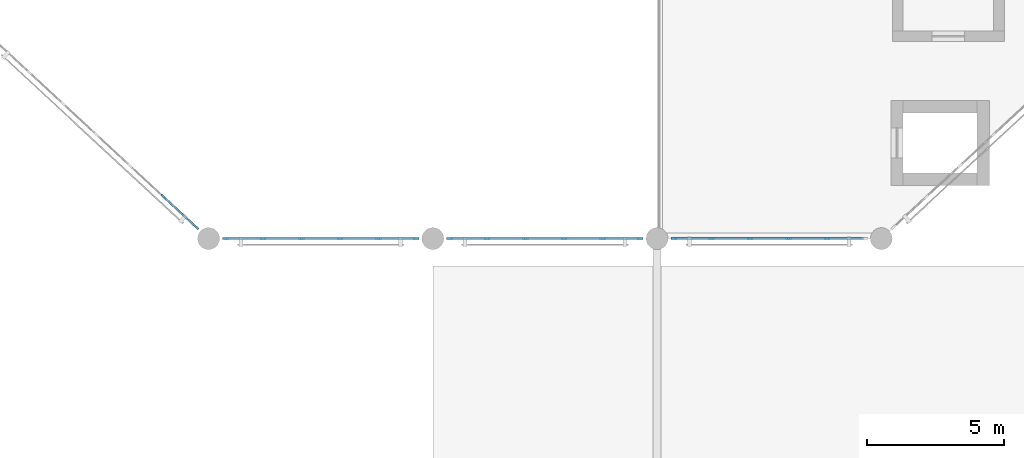
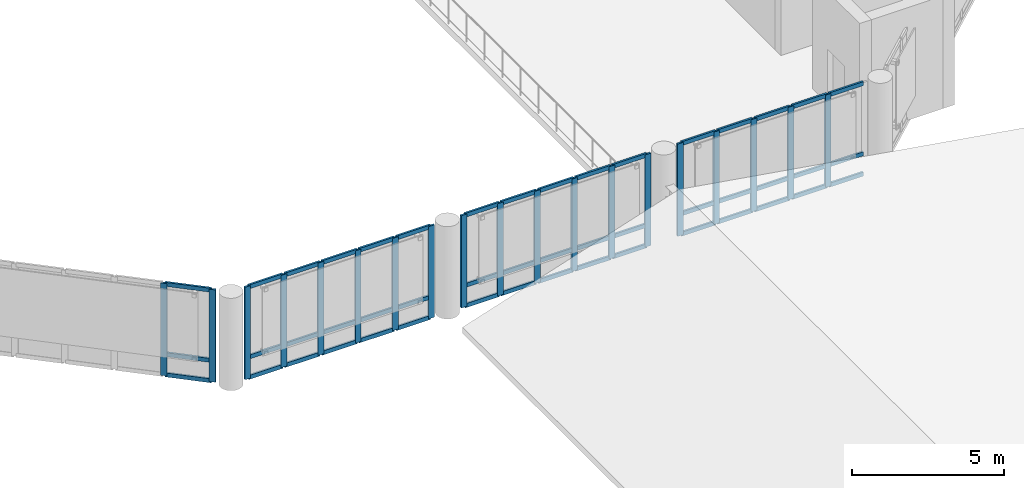
# One storey, part 2 of 49: 67 members, 4 elements without a shape of their own.
"""IFC4 building model written with IfcOpenShell, lengths in metres."""

from ifc_helpers import new_model, si_unit, direction, frame, origin, origin_2d, place, context, subcontext, project, spatial, rectangle, extrude, material, material_profile, profile_set, type_object, element, aggregate, save


model = new_model("IFC4")

# Units and contexts
model_context = context("Model", 3, precision=1e-05, world=origin(), true_north=direction((0.0, 1.0)))
body_context = subcontext(model_context, "Body", "Model", "MODEL_VIEW")
ifc_project = project(units=[si_unit("LENGTHUNIT", "METRE"), si_unit("AREAUNIT", "SQUARE_METRE"), si_unit("VOLUMEUNIT", "CUBIC_METRE"), si_unit("PLANEANGLEUNIT", "RADIAN"), si_unit("MASSUNIT", "GRAM", prefix="KILO")], contexts=[model_context])

# Site, building, storey
site_placement = place(None, origin())
site = spatial("IfcSite", under=ifc_project, at=site_placement, CompositionType="ELEMENT")
building_placement = place(site_placement, origin())
building = spatial("IfcBuilding", under=site, at=building_placement, Name="Qandaris Square Conservatory and Botanical Centre", CompositionType="ELEMENT")
storey_placement = place(building_placement, frame((0.0, 0.0, 10.199951171875)))
storey = spatial("IfcBuildingStorey", under=building, at=storey_placement, Name="L02", CompositionType="ELEMENT", Elevation=10.199951171875)

# Curtain wall, members
ifc_material = material(Name="Anodised Aluminium", Category="aluminium")
curtain_wall_type_1 = type_object("IfcCurtainWallType", Name="Unitised Curtain Wall CW-2-704x370", PredefinedType="USERDEFINED", material=ifc_material)
curtain_wall_1_placement = place(storey_placement, origin())
curtain_wall_1 = element("IfcCurtainWall", 1, at=curtain_wall_1_placement, inside=storey, type_object=curtain_wall_type_1, Name="Curtain Wall CW-CON-L02-1-1", ObjectType="GLAZED CURTAIN WALL", PredefinedType="USERDEFINED")
ifc_material_profile_1 = material_profile(ifc_material, rectangle(XDim=0.074951171875, YDim=0.219970703125, at=origin_2d()), Name="ALU-MUL 75x220")
ifc_profile_set_1 = profile_set([ifc_material_profile_1], Name="Anodised Aluminium")
member_type_1 = type_object("IfcMemberType", Name="Conservatory Heavy Mullion 75x220", PredefinedType="MULLION", material=ifc_profile_set_1)
member_1_placement = place(storey_placement, frame((25.017578125, 47.0, 0.0), z_axis=(0.0, 0.0, 1.0), x_axis=(0.0, 1.0, 0.0)))
member_1 = element("IfcMember", 2, at=member_1_placement, type_object=member_type_1, Name="CW-2-704x370 mullion 1", PredefinedType="MULLION", context=body_context, shape_type="SweptSolid", body=[
    extrude(rectangle(XDim=0.074951171875, YDim=0.219970703125, at=origin_2d()), origin(), (0.0, 0.0, 1.0), 3.699951171875),
])
member_2_placement = place(storey_placement, frame((26.387939453125, 47.0, 0.0), z_axis=(0.0, 0.0, 1.0), x_axis=(0.0, 1.0, 0.0)))
member_2 = element("IfcMember", 3, at=member_2_placement, type_object=member_type_1, Name="CW-2-704x370 mullion 2", PredefinedType="MULLION", context=body_context, shape_type="SweptSolid", body=[
    extrude(rectangle(XDim=0.074951171875, YDim=0.219970703125, at=origin_2d()), origin(), (0.0, 0.0, 1.0), 3.699951171875),
])
member_3_placement = place(storey_placement, frame((27.7958984375, 47.0, 0.0), z_axis=(0.0, 0.0, 1.0), x_axis=(0.0, 1.0, 0.0)))
member_3 = element("IfcMember", 4, at=member_3_placement, type_object=member_type_1, Name="CW-2-704x370 mullion 3", PredefinedType="MULLION", context=body_context, shape_type="SweptSolid", body=[
    extrude(rectangle(XDim=0.074951171875, YDim=0.219970703125, at=origin_2d()), origin(), (0.0, 0.0, 1.0), 3.699951171875),
])
member_4_placement = place(storey_placement, frame((29.2041015625, 47.0, 0.0), z_axis=(0.0, 0.0, 1.0), x_axis=(0.0, 1.0, 0.0)))
member_4 = element("IfcMember", 5, at=member_4_placement, type_object=member_type_1, Name="CW-2-704x370 mullion 4", PredefinedType="MULLION", context=body_context, shape_type="SweptSolid", body=[
    extrude(rectangle(XDim=0.074951171875, YDim=0.219970703125, at=origin_2d()), origin(), (0.0, 0.0, 1.0), 3.699951171875),
])
member_5_placement = place(storey_placement, frame((30.612060546875, 47.0, 0.0), z_axis=(0.0, 0.0, 1.0), x_axis=(0.0, 1.0, 0.0)))
member_5 = element("IfcMember", 6, at=member_5_placement, type_object=member_type_1, Name="CW-2-704x370 mullion 5", PredefinedType="MULLION", context=body_context, shape_type="SweptSolid", body=[
    extrude(rectangle(XDim=0.074951171875, YDim=0.219970703125, at=origin_2d()), origin(), (0.0, 0.0, 1.0), 3.699951171875),
])
member_6_placement = place(storey_placement, frame((31.982421875, 47.0, 0.0), z_axis=(0.0, 0.0, 1.0), x_axis=(0.0, 1.0, 0.0)))
member_6 = element("IfcMember", 7, at=member_6_placement, type_object=member_type_1, Name="CW-2-704x370 mullion 6", PredefinedType="MULLION", context=body_context, shape_type="SweptSolid", body=[
    extrude(rectangle(XDim=0.074951171875, YDim=0.219970703125, at=origin_2d()), origin(), (0.0, 0.0, 1.0), 3.699951171875),
])

curtain_wall_2_placement = place(storey_placement, origin())
curtain_wall_2 = element("IfcCurtainWall", 8, at=curtain_wall_2_placement, inside=storey, type_object=curtain_wall_type_1, Name="Curtain Wall CW-CON-L02-1-2", ObjectType="GLAZED CURTAIN WALL", PredefinedType="USERDEFINED")
member_7_placement = place(storey_placement, frame((33.217529296875, 47.0, 0.0), z_axis=(0.0, 0.0, 1.0), x_axis=(0.0, 1.0, 0.0)))
member_7 = element("IfcMember", 9, at=member_7_placement, type_object=member_type_1, Name="CW-2-704x370 mullion 1", PredefinedType="MULLION", context=body_context, shape_type="SweptSolid", body=[
    extrude(rectangle(XDim=0.074951171875, YDim=0.219970703125, at=origin_2d()), origin(), (0.0, 0.0, 1.0), 3.699951171875),
])
member_8_placement = place(storey_placement, frame((34.587890625, 47.0, 0.0), z_axis=(0.0, 0.0, 1.0), x_axis=(0.0, 1.0, 0.0)))
member_8 = element("IfcMember", 10, at=member_8_placement, type_object=member_type_1, Name="CW-2-704x370 mullion 2", PredefinedType="MULLION", context=body_context, shape_type="SweptSolid", body=[
    extrude(rectangle(XDim=0.074951171875, YDim=0.219970703125, at=origin_2d()), origin(), (0.0, 0.0, 1.0), 3.699951171875),
])
member_9_placement = place(storey_placement, frame((35.99609375, 47.0, 0.0), z_axis=(0.0, 0.0, 1.0), x_axis=(0.0, 1.0, 0.0)))
member_9 = element("IfcMember", 11, at=member_9_placement, type_object=member_type_1, Name="CW-2-704x370 mullion 3", PredefinedType="MULLION", context=body_context, shape_type="SweptSolid", body=[
    extrude(rectangle(XDim=0.074951171875, YDim=0.219970703125, at=origin_2d()), origin(), (0.0, 0.0, 1.0), 3.699951171875),
])
member_10_placement = place(storey_placement, frame((37.404052734375, 47.0, 0.0), z_axis=(0.0, 0.0, 1.0), x_axis=(0.0, 1.0, 0.0)))
member_10 = element("IfcMember", 12, at=member_10_placement, type_object=member_type_1, Name="CW-2-704x370 mullion 4", PredefinedType="MULLION", context=body_context, shape_type="SweptSolid", body=[
    extrude(rectangle(XDim=0.074951171875, YDim=0.219970703125, at=origin_2d()), origin(), (0.0, 0.0, 1.0), 3.699951171875),
])
member_11_placement = place(storey_placement, frame((38.81201171875, 47.0, 0.0), z_axis=(0.0, 0.0, 1.0), x_axis=(0.0, 1.0, 0.0)))
member_11 = element("IfcMember", 13, at=member_11_placement, type_object=member_type_1, Name="CW-2-704x370 mullion 5", PredefinedType="MULLION", context=body_context, shape_type="SweptSolid", body=[
    extrude(rectangle(XDim=0.074951171875, YDim=0.219970703125, at=origin_2d()), origin(), (0.0, 0.0, 1.0), 3.699951171875),
])
member_12_placement = place(storey_placement, frame((40.1826171875, 47.0, 0.0), z_axis=(0.0, 0.0, 1.0), x_axis=(0.0, 1.0, 0.0)))
member_12 = element("IfcMember", 14, at=member_12_placement, type_object=member_type_1, Name="CW-2-704x370 mullion 6", PredefinedType="MULLION", context=body_context, shape_type="SweptSolid", body=[
    extrude(rectangle(XDim=0.074951171875, YDim=0.219970703125, at=origin_2d()), origin(), (0.0, 0.0, 1.0), 3.699951171875),
])

curtain_wall_3_placement = place(storey_placement, origin())
curtain_wall_3 = element("IfcCurtainWall", 15, at=curtain_wall_3_placement, inside=storey, type_object=curtain_wall_type_1, Name="Curtain Wall CW-CON-L02-1-3", ObjectType="GLAZED CURTAIN WALL", PredefinedType="USERDEFINED")
member_13_placement = place(storey_placement, frame((41.41748046875, 47.0, 0.0), z_axis=(0.0, 0.0, 1.0), x_axis=(0.0, 1.0, 0.0)))
member_13 = element("IfcMember", 16, at=member_13_placement, type_object=member_type_1, Name="CW-2-704x370 mullion 1", PredefinedType="MULLION", context=body_context, shape_type="SweptSolid", body=[
    extrude(rectangle(XDim=0.074951171875, YDim=0.219970703125, at=origin_2d()), origin(), (0.0, 0.0, 1.0), 3.699951171875),
])
member_14_placement = place(storey_placement, frame((42.7880859375, 47.0, 0.0), z_axis=(0.0, 0.0, 1.0), x_axis=(0.0, 1.0, 0.0)))
member_14 = element("IfcMember", 17, at=member_14_placement, type_object=member_type_1, Name="CW-2-704x370 mullion 2", PredefinedType="MULLION", context=body_context, shape_type="SweptSolid", body=[
    extrude(rectangle(XDim=0.074951171875, YDim=0.219970703125, at=origin_2d()), origin(), (0.0, 0.0, 1.0), 3.699951171875),
])
member_15_placement = place(storey_placement, frame((44.196044921875, 47.0, 0.0), z_axis=(0.0, 0.0, 1.0), x_axis=(0.0, 1.0, 0.0)))
member_15 = element("IfcMember", 18, at=member_15_placement, type_object=member_type_1, Name="CW-2-704x370 mullion 3", PredefinedType="MULLION", context=body_context, shape_type="SweptSolid", body=[
    extrude(rectangle(XDim=0.074951171875, YDim=0.219970703125, at=origin_2d()), origin(), (0.0, 0.0, 1.0), 3.699951171875),
])
member_16_placement = place(storey_placement, frame((45.60400390625, 47.0, 0.0), z_axis=(0.0, 0.0, 1.0), x_axis=(0.0, 1.0, 0.0)))
member_16 = element("IfcMember", 19, at=member_16_placement, type_object=member_type_1, Name="CW-2-704x370 mullion 4", PredefinedType="MULLION", context=body_context, shape_type="SweptSolid", body=[
    extrude(rectangle(XDim=0.074951171875, YDim=0.219970703125, at=origin_2d()), origin(), (0.0, 0.0, 1.0), 3.699951171875),
])
member_17_placement = place(storey_placement, frame((47.011962890625, 47.0, 0.0), z_axis=(0.0, 0.0, 1.0), x_axis=(0.0, 1.0, 0.0)))
member_17 = element("IfcMember", 20, at=member_17_placement, type_object=member_type_1, Name="CW-2-704x370 mullion 5", PredefinedType="MULLION", context=body_context, shape_type="SweptSolid", body=[
    extrude(rectangle(XDim=0.074951171875, YDim=0.219970703125, at=origin_2d()), origin(), (0.0, 0.0, 1.0), 3.699951171875),
])

curtain_wall_type_2 = type_object("IfcCurtainWallType", Name="Unitised Curtain Wall CW-2-1002x370", PredefinedType="USERDEFINED", material=ifc_material)
curtain_wall_4_placement = place(storey_placement, origin())
curtain_wall_4 = element("IfcCurtainWall", 21, at=curtain_wall_4_placement, inside=storey, type_object=curtain_wall_type_2, Name="Curtain Wall CW-CON-L02-8-1", ObjectType="GLAZED CURTAIN WALL", PredefinedType="USERDEFINED")
member_18_placement = place(storey_placement, frame((22.749755859375, 48.529541015625, 0.0), z_axis=(0.0, 0.0, 1.0), x_axis=(0.679761784592, 0.733432966404, 0.0)))
member_18 = element("IfcMember", 22, at=member_18_placement, type_object=member_type_1, Name="CW-2-1002x370 mullion 6", PredefinedType="MULLION", context=body_context, shape_type="SweptSolid", body=[
    extrude(rectangle(XDim=0.074951171875, YDim=0.219970703125, at=origin_2d()), origin(), (0.0, 0.0, 1.0), 3.699951171875),
])
member_19_placement = place(storey_placement, frame((23.947021484375, 47.419677734375, 0.0), z_axis=(0.0, 0.0, 1.0), x_axis=(0.679761784592, 0.733432966404, 0.0)))
member_19 = element("IfcMember", 23, at=member_19_placement, type_object=member_type_1, Name="CW-2-1002x370 mullion 7", PredefinedType="MULLION", context=body_context, shape_type="SweptSolid", body=[
    extrude(rectangle(XDim=0.074951171875, YDim=0.219970703125, at=origin_2d()), origin(), (0.0, 0.0, 1.0), 3.699951171875),
])

# Member
ifc_material_profile_2 = material_profile(ifc_material, rectangle(XDim=0.074951171875, YDim=0.159912109375, at=origin_2d()), Name="ALU-TRN 75x160")
ifc_profile_set_2 = profile_set([ifc_material_profile_2], Name="Anodised Aluminium")
member_type_2 = type_object("IfcMemberType", Name="Conservatory Heavy Transom 75x160", PredefinedType="USERDEFINED", material=ifc_profile_set_2)
member_20_placement = place(storey_placement, frame((25.054931640625, 47.0, 0.03759765625), z_axis=(1.0, 0.0, 0.0), x_axis=(0.0, 1.0, 0.0)))
member_20 = element("IfcMember", 24, at=member_20_placement, type_object=member_type_2, Name="CW-2-704x370 transom 1.1", ObjectType="TRANSOM", PredefinedType="USERDEFINED", context=body_context, shape_type="SweptSolid", body=[
    extrude(rectangle(XDim=0.074951171875, YDim=0.159912109375, at=origin_2d()), origin(), (0.0, 0.0, 1.0), 1.295654296875),
])

member_21_placement = place(storey_placement, frame((25.054931640625, 47.0, 0.85009765625), z_axis=(1.0, 0.0, 0.0), x_axis=(0.0, 1.0, 0.0)))
member_21 = element("IfcMember", 25, at=member_21_placement, type_object=member_type_2, Name="CW-2-704x370 transom 1.2", ObjectType="TRANSOM", PredefinedType="USERDEFINED", context=body_context, shape_type="SweptSolid", body=[
    extrude(rectangle(XDim=0.074951171875, YDim=0.159912109375, at=origin_2d()), origin(), (0.0, 0.0, 1.0), 1.295654296875),
])

member_22_placement = place(storey_placement, frame((25.054931640625, 47.0, 3.66259765625), z_axis=(1.0, 0.0, 0.0), x_axis=(0.0, 1.0, 0.0)))
member_22 = element("IfcMember", 26, at=member_22_placement, type_object=member_type_2, Name="CW-2-704x370 transom 1.3", ObjectType="TRANSOM", PredefinedType="USERDEFINED", context=body_context, shape_type="SweptSolid", body=[
    extrude(rectangle(XDim=0.074951171875, YDim=0.159912109375, at=origin_2d()), origin(), (0.0, 0.0, 1.0), 1.295654296875),
])

member_23_placement = place(storey_placement, frame((26.425537109375, 47.0, 0.03759765625), z_axis=(1.0, 0.0, 0.0), x_axis=(0.0, 1.0, 0.0)))
member_23 = element("IfcMember", 27, at=member_23_placement, type_object=member_type_2, Name="CW-2-704x370 transom 2.1", ObjectType="TRANSOM", PredefinedType="USERDEFINED", context=body_context, shape_type="SweptSolid", body=[
    extrude(rectangle(XDim=0.074951171875, YDim=0.159912109375, at=origin_2d()), origin(), (0.0, 0.0, 1.0), 1.3330078125),
])

member_24_placement = place(storey_placement, frame((26.425537109375, 47.0, 0.85009765625), z_axis=(1.0, 0.0, 0.0), x_axis=(0.0, 1.0, 0.0)))
member_24 = element("IfcMember", 28, at=member_24_placement, type_object=member_type_2, Name="CW-2-704x370 transom 2.2", ObjectType="TRANSOM", PredefinedType="USERDEFINED", context=body_context, shape_type="SweptSolid", body=[
    extrude(rectangle(XDim=0.074951171875, YDim=0.159912109375, at=origin_2d()), origin(), (0.0, 0.0, 1.0), 1.3330078125),
])

member_25_placement = place(storey_placement, frame((26.425537109375, 47.0, 3.66259765625), z_axis=(1.0, 0.0, 0.0), x_axis=(0.0, 1.0, 0.0)))
member_25 = element("IfcMember", 29, at=member_25_placement, type_object=member_type_2, Name="CW-2-704x370 transom 2.3", ObjectType="TRANSOM", PredefinedType="USERDEFINED", context=body_context, shape_type="SweptSolid", body=[
    extrude(rectangle(XDim=0.074951171875, YDim=0.159912109375, at=origin_2d()), origin(), (0.0, 0.0, 1.0), 1.3330078125),
])

member_26_placement = place(storey_placement, frame((27.83349609375, 47.0, 0.03759765625), z_axis=(1.0, 0.0, 0.0), x_axis=(0.0, 1.0, 0.0)))
member_26 = element("IfcMember", 30, at=member_26_placement, type_object=member_type_2, Name="CW-2-704x370 transom 3.1", ObjectType="TRANSOM", PredefinedType="USERDEFINED", context=body_context, shape_type="SweptSolid", body=[
    extrude(rectangle(XDim=0.074951171875, YDim=0.159912109375, at=origin_2d()), origin(), (0.0, 0.0, 1.0), 1.3330078125),
])

member_27_placement = place(storey_placement, frame((27.83349609375, 47.0, 0.85009765625), z_axis=(1.0, 0.0, 0.0), x_axis=(0.0, 1.0, 0.0)))
member_27 = element("IfcMember", 31, at=member_27_placement, type_object=member_type_2, Name="CW-2-704x370 transom 3.2", ObjectType="TRANSOM", PredefinedType="USERDEFINED", context=body_context, shape_type="SweptSolid", body=[
    extrude(rectangle(XDim=0.074951171875, YDim=0.159912109375, at=origin_2d()), origin(), (0.0, 0.0, 1.0), 1.3330078125),
])

member_28_placement = place(storey_placement, frame((27.83349609375, 47.0, 3.66259765625), z_axis=(1.0, 0.0, 0.0), x_axis=(0.0, 1.0, 0.0)))
member_28 = element("IfcMember", 32, at=member_28_placement, type_object=member_type_2, Name="CW-2-704x370 transom 3.3", ObjectType="TRANSOM", PredefinedType="USERDEFINED", context=body_context, shape_type="SweptSolid", body=[
    extrude(rectangle(XDim=0.074951171875, YDim=0.159912109375, at=origin_2d()), origin(), (0.0, 0.0, 1.0), 1.3330078125),
])

member_29_placement = place(storey_placement, frame((29.241455078125, 47.0, 0.03759765625), z_axis=(1.0, 0.0, 0.0), x_axis=(0.0, 1.0, 0.0)))
member_29 = element("IfcMember", 33, at=member_29_placement, type_object=member_type_2, Name="CW-2-704x370 transom 4.1", ObjectType="TRANSOM", PredefinedType="USERDEFINED", context=body_context, shape_type="SweptSolid", body=[
    extrude(rectangle(XDim=0.074951171875, YDim=0.159912109375, at=origin_2d()), origin(), (0.0, 0.0, 1.0), 1.3330078125),
])

member_30_placement = place(storey_placement, frame((29.241455078125, 47.0, 0.85009765625), z_axis=(1.0, 0.0, 0.0), x_axis=(0.0, 1.0, 0.0)))
member_30 = element("IfcMember", 34, at=member_30_placement, type_object=member_type_2, Name="CW-2-704x370 transom 4.2", ObjectType="TRANSOM", PredefinedType="USERDEFINED", context=body_context, shape_type="SweptSolid", body=[
    extrude(rectangle(XDim=0.074951171875, YDim=0.159912109375, at=origin_2d()), origin(), (0.0, 0.0, 1.0), 1.3330078125),
])

member_31_placement = place(storey_placement, frame((29.241455078125, 47.0, 3.66259765625), z_axis=(1.0, 0.0, 0.0), x_axis=(0.0, 1.0, 0.0)))
member_31 = element("IfcMember", 35, at=member_31_placement, type_object=member_type_2, Name="CW-2-704x370 transom 4.3", ObjectType="TRANSOM", PredefinedType="USERDEFINED", context=body_context, shape_type="SweptSolid", body=[
    extrude(rectangle(XDim=0.074951171875, YDim=0.159912109375, at=origin_2d()), origin(), (0.0, 0.0, 1.0), 1.3330078125),
])

member_32_placement = place(storey_placement, frame((30.6494140625, 47.0, 0.03759765625), z_axis=(1.0, 0.0, 0.0), x_axis=(0.0, 1.0, 0.0)))
member_32 = element("IfcMember", 36, at=member_32_placement, type_object=member_type_2, Name="CW-2-704x370 transom 5.1", ObjectType="TRANSOM", PredefinedType="USERDEFINED", context=body_context, shape_type="SweptSolid", body=[
    extrude(rectangle(XDim=0.074951171875, YDim=0.159912109375, at=origin_2d()), origin(), (0.0, 0.0, 1.0), 1.295654296875),
])

member_33_placement = place(storey_placement, frame((30.6494140625, 47.0, 0.85009765625), z_axis=(1.0, 0.0, 0.0), x_axis=(0.0, 1.0, 0.0)))
member_33 = element("IfcMember", 37, at=member_33_placement, type_object=member_type_2, Name="CW-2-704x370 transom 5.2", ObjectType="TRANSOM", PredefinedType="USERDEFINED", context=body_context, shape_type="SweptSolid", body=[
    extrude(rectangle(XDim=0.074951171875, YDim=0.159912109375, at=origin_2d()), origin(), (0.0, 0.0, 1.0), 1.295654296875),
])

member_34_placement = place(storey_placement, frame((30.6494140625, 47.0, 3.66259765625), z_axis=(1.0, 0.0, 0.0), x_axis=(0.0, 1.0, 0.0)))
member_34 = element("IfcMember", 38, at=member_34_placement, type_object=member_type_2, Name="CW-2-704x370 transom 5.3", ObjectType="TRANSOM", PredefinedType="USERDEFINED", context=body_context, shape_type="SweptSolid", body=[
    extrude(rectangle(XDim=0.074951171875, YDim=0.159912109375, at=origin_2d()), origin(), (0.0, 0.0, 1.0), 1.295654296875),
])

aggregate(curtain_wall_1, [member_1, member_2, member_3, member_4, member_5, member_6, member_20, member_21, member_22, member_23, member_24, member_25, member_26, member_27, member_28, member_29, member_30, member_31, member_32, member_33, member_34])

member_35_placement = place(storey_placement, frame((33.2548828125, 47.0, 0.03759765625), z_axis=(1.0, 0.0, 0.0), x_axis=(0.0, 1.0, 0.0)))
member_35 = element("IfcMember", 39, at=member_35_placement, type_object=member_type_2, Name="CW-2-704x370 transom 1.1", ObjectType="TRANSOM", PredefinedType="USERDEFINED", context=body_context, shape_type="SweptSolid", body=[
    extrude(rectangle(XDim=0.074951171875, YDim=0.159912109375, at=origin_2d()), origin(), (0.0, 0.0, 1.0), 1.295654296875),
])

member_36_placement = place(storey_placement, frame((33.2548828125, 47.0, 0.85009765625), z_axis=(1.0, 0.0, 0.0), x_axis=(0.0, 1.0, 0.0)))
member_36 = element("IfcMember", 40, at=member_36_placement, type_object=member_type_2, Name="CW-2-704x370 transom 1.2", ObjectType="TRANSOM", PredefinedType="USERDEFINED", context=body_context, shape_type="SweptSolid", body=[
    extrude(rectangle(XDim=0.074951171875, YDim=0.159912109375, at=origin_2d()), origin(), (0.0, 0.0, 1.0), 1.295654296875),
])

member_37_placement = place(storey_placement, frame((33.2548828125, 47.0, 3.66259765625), z_axis=(1.0, 0.0, 0.0), x_axis=(0.0, 1.0, 0.0)))
member_37 = element("IfcMember", 41, at=member_37_placement, type_object=member_type_2, Name="CW-2-704x370 transom 1.3", ObjectType="TRANSOM", PredefinedType="USERDEFINED", context=body_context, shape_type="SweptSolid", body=[
    extrude(rectangle(XDim=0.074951171875, YDim=0.159912109375, at=origin_2d()), origin(), (0.0, 0.0, 1.0), 1.295654296875),
])

member_38_placement = place(storey_placement, frame((34.62548828125, 47.0, 0.03759765625), z_axis=(1.0, 0.0, 0.0), x_axis=(0.0, 1.0, 0.0)))
member_38 = element("IfcMember", 42, at=member_38_placement, type_object=member_type_2, Name="CW-2-704x370 transom 2.1", ObjectType="TRANSOM", PredefinedType="USERDEFINED", context=body_context, shape_type="SweptSolid", body=[
    extrude(rectangle(XDim=0.074951171875, YDim=0.159912109375, at=origin_2d()), origin(), (0.0, 0.0, 1.0), 1.3330078125),
])

member_39_placement = place(storey_placement, frame((34.62548828125, 47.0, 0.85009765625), z_axis=(1.0, 0.0, 0.0), x_axis=(0.0, 1.0, 0.0)))
member_39 = element("IfcMember", 43, at=member_39_placement, type_object=member_type_2, Name="CW-2-704x370 transom 2.2", ObjectType="TRANSOM", PredefinedType="USERDEFINED", context=body_context, shape_type="SweptSolid", body=[
    extrude(rectangle(XDim=0.074951171875, YDim=0.159912109375, at=origin_2d()), origin(), (0.0, 0.0, 1.0), 1.3330078125),
])

member_40_placement = place(storey_placement, frame((34.62548828125, 47.0, 3.66259765625), z_axis=(1.0, 0.0, 0.0), x_axis=(0.0, 1.0, 0.0)))
member_40 = element("IfcMember", 44, at=member_40_placement, type_object=member_type_2, Name="CW-2-704x370 transom 2.3", ObjectType="TRANSOM", PredefinedType="USERDEFINED", context=body_context, shape_type="SweptSolid", body=[
    extrude(rectangle(XDim=0.074951171875, YDim=0.159912109375, at=origin_2d()), origin(), (0.0, 0.0, 1.0), 1.3330078125),
])

member_41_placement = place(storey_placement, frame((36.033447265625, 47.0, 0.03759765625), z_axis=(1.0, 0.0, 0.0), x_axis=(0.0, 1.0, 0.0)))
member_41 = element("IfcMember", 45, at=member_41_placement, type_object=member_type_2, Name="CW-2-704x370 transom 3.1", ObjectType="TRANSOM", PredefinedType="USERDEFINED", context=body_context, shape_type="SweptSolid", body=[
    extrude(rectangle(XDim=0.074951171875, YDim=0.159912109375, at=origin_2d()), origin(), (0.0, 0.0, 1.0), 1.3330078125),
])

member_42_placement = place(storey_placement, frame((36.033447265625, 47.0, 0.85009765625), z_axis=(1.0, 0.0, 0.0), x_axis=(0.0, 1.0, 0.0)))
member_42 = element("IfcMember", 46, at=member_42_placement, type_object=member_type_2, Name="CW-2-704x370 transom 3.2", ObjectType="TRANSOM", PredefinedType="USERDEFINED", context=body_context, shape_type="SweptSolid", body=[
    extrude(rectangle(XDim=0.074951171875, YDim=0.159912109375, at=origin_2d()), origin(), (0.0, 0.0, 1.0), 1.3330078125),
])

member_43_placement = place(storey_placement, frame((36.033447265625, 47.0, 3.66259765625), z_axis=(1.0, 0.0, 0.0), x_axis=(0.0, 1.0, 0.0)))
member_43 = element("IfcMember", 47, at=member_43_placement, type_object=member_type_2, Name="CW-2-704x370 transom 3.3", ObjectType="TRANSOM", PredefinedType="USERDEFINED", context=body_context, shape_type="SweptSolid", body=[
    extrude(rectangle(XDim=0.074951171875, YDim=0.159912109375, at=origin_2d()), origin(), (0.0, 0.0, 1.0), 1.3330078125),
])

member_44_placement = place(storey_placement, frame((37.44140625, 47.0, 0.03759765625), z_axis=(1.0, 0.0, 0.0), x_axis=(0.0, 1.0, 0.0)))
member_44 = element("IfcMember", 48, at=member_44_placement, type_object=member_type_2, Name="CW-2-704x370 transom 4.1", ObjectType="TRANSOM", PredefinedType="USERDEFINED", context=body_context, shape_type="SweptSolid", body=[
    extrude(rectangle(XDim=0.074951171875, YDim=0.159912109375, at=origin_2d()), origin(), (0.0, 0.0, 1.0), 1.3330078125),
])

member_45_placement = place(storey_placement, frame((37.44140625, 47.0, 0.85009765625), z_axis=(1.0, 0.0, 0.0), x_axis=(0.0, 1.0, 0.0)))
member_45 = element("IfcMember", 49, at=member_45_placement, type_object=member_type_2, Name="CW-2-704x370 transom 4.2", ObjectType="TRANSOM", PredefinedType="USERDEFINED", context=body_context, shape_type="SweptSolid", body=[
    extrude(rectangle(XDim=0.074951171875, YDim=0.159912109375, at=origin_2d()), origin(), (0.0, 0.0, 1.0), 1.3330078125),
])

member_46_placement = place(storey_placement, frame((37.44140625, 47.0, 3.66259765625), z_axis=(1.0, 0.0, 0.0), x_axis=(0.0, 1.0, 0.0)))
member_46 = element("IfcMember", 50, at=member_46_placement, type_object=member_type_2, Name="CW-2-704x370 transom 4.3", ObjectType="TRANSOM", PredefinedType="USERDEFINED", context=body_context, shape_type="SweptSolid", body=[
    extrude(rectangle(XDim=0.074951171875, YDim=0.159912109375, at=origin_2d()), origin(), (0.0, 0.0, 1.0), 1.3330078125),
])

member_47_placement = place(storey_placement, frame((38.849609375, 47.0, 0.03759765625), z_axis=(1.0, 0.0, 0.0), x_axis=(0.0, 1.0, 0.0)))
member_47 = element("IfcMember", 51, at=member_47_placement, type_object=member_type_2, Name="CW-2-704x370 transom 5.1", ObjectType="TRANSOM", PredefinedType="USERDEFINED", context=body_context, shape_type="SweptSolid", body=[
    extrude(rectangle(XDim=0.074951171875, YDim=0.159912109375, at=origin_2d()), origin(), (0.0, 0.0, 1.0), 1.29541015625),
])

member_48_placement = place(storey_placement, frame((38.849609375, 47.0, 0.85009765625), z_axis=(1.0, 0.0, 0.0), x_axis=(0.0, 1.0, 0.0)))
member_48 = element("IfcMember", 52, at=member_48_placement, type_object=member_type_2, Name="CW-2-704x370 transom 5.2", ObjectType="TRANSOM", PredefinedType="USERDEFINED", context=body_context, shape_type="SweptSolid", body=[
    extrude(rectangle(XDim=0.074951171875, YDim=0.159912109375, at=origin_2d()), origin(), (0.0, 0.0, 1.0), 1.29541015625),
])

member_49_placement = place(storey_placement, frame((38.849609375, 47.0, 3.66259765625), z_axis=(1.0, 0.0, 0.0), x_axis=(0.0, 1.0, 0.0)))
member_49 = element("IfcMember", 53, at=member_49_placement, type_object=member_type_2, Name="CW-2-704x370 transom 5.3", ObjectType="TRANSOM", PredefinedType="USERDEFINED", context=body_context, shape_type="SweptSolid", body=[
    extrude(rectangle(XDim=0.074951171875, YDim=0.159912109375, at=origin_2d()), origin(), (0.0, 0.0, 1.0), 1.29541015625),
])

aggregate(curtain_wall_2, [member_7, member_8, member_9, member_10, member_11, member_12, member_35, member_36, member_37, member_38, member_39, member_40, member_41, member_42, member_43, member_44, member_45, member_46, member_47, member_48, member_49])

member_50_placement = place(storey_placement, frame((41.455078125, 47.0, 0.03759765625), z_axis=(1.0, 0.0, 0.0), x_axis=(0.0, 1.0, 0.0)))
member_50 = element("IfcMember", 54, at=member_50_placement, type_object=member_type_2, Name="CW-2-704x370 transom 1.1", ObjectType="TRANSOM", PredefinedType="USERDEFINED", context=body_context, shape_type="SweptSolid", body=[
    extrude(rectangle(XDim=0.074951171875, YDim=0.159912109375, at=origin_2d()), origin(), (0.0, 0.0, 1.0), 1.29541015625),
])

member_51_placement = place(storey_placement, frame((41.455078125, 47.0, 0.85009765625), z_axis=(1.0, 0.0, 0.0), x_axis=(0.0, 1.0, 0.0)))
member_51 = element("IfcMember", 55, at=member_51_placement, type_object=member_type_2, Name="CW-2-704x370 transom 1.2", ObjectType="TRANSOM", PredefinedType="USERDEFINED", context=body_context, shape_type="SweptSolid", body=[
    extrude(rectangle(XDim=0.074951171875, YDim=0.159912109375, at=origin_2d()), origin(), (0.0, 0.0, 1.0), 1.29541015625),
])

member_52_placement = place(storey_placement, frame((41.455078125, 47.0, 3.66259765625), z_axis=(1.0, 0.0, 0.0), x_axis=(0.0, 1.0, 0.0)))
member_52 = element("IfcMember", 56, at=member_52_placement, type_object=member_type_2, Name="CW-2-704x370 transom 1.3", ObjectType="TRANSOM", PredefinedType="USERDEFINED", context=body_context, shape_type="SweptSolid", body=[
    extrude(rectangle(XDim=0.074951171875, YDim=0.159912109375, at=origin_2d()), origin(), (0.0, 0.0, 1.0), 1.29541015625),
])

member_53_placement = place(storey_placement, frame((42.825439453125, 47.0, 0.03759765625), z_axis=(1.0, 0.0, 0.0), x_axis=(0.0, 1.0, 0.0)))
member_53 = element("IfcMember", 57, at=member_53_placement, type_object=member_type_2, Name="CW-2-704x370 transom 2.1", ObjectType="TRANSOM", PredefinedType="USERDEFINED", context=body_context, shape_type="SweptSolid", body=[
    extrude(rectangle(XDim=0.074951171875, YDim=0.159912109375, at=origin_2d()), origin(), (0.0, 0.0, 1.0), 1.3330078125),
])

member_54_placement = place(storey_placement, frame((42.825439453125, 47.0, 0.85009765625), z_axis=(1.0, 0.0, 0.0), x_axis=(0.0, 1.0, 0.0)))
member_54 = element("IfcMember", 58, at=member_54_placement, type_object=member_type_2, Name="CW-2-704x370 transom 2.2", ObjectType="TRANSOM", PredefinedType="USERDEFINED", context=body_context, shape_type="SweptSolid", body=[
    extrude(rectangle(XDim=0.074951171875, YDim=0.159912109375, at=origin_2d()), origin(), (0.0, 0.0, 1.0), 1.3330078125),
])

member_55_placement = place(storey_placement, frame((42.825439453125, 47.0, 3.66259765625), z_axis=(1.0, 0.0, 0.0), x_axis=(0.0, 1.0, 0.0)))
member_55 = element("IfcMember", 59, at=member_55_placement, type_object=member_type_2, Name="CW-2-704x370 transom 2.3", ObjectType="TRANSOM", PredefinedType="USERDEFINED", context=body_context, shape_type="SweptSolid", body=[
    extrude(rectangle(XDim=0.074951171875, YDim=0.159912109375, at=origin_2d()), origin(), (0.0, 0.0, 1.0), 1.3330078125),
])

member_56_placement = place(storey_placement, frame((44.2333984375, 47.0, 0.03759765625), z_axis=(1.0, 0.0, 0.0), x_axis=(0.0, 1.0, 0.0)))
member_56 = element("IfcMember", 60, at=member_56_placement, type_object=member_type_2, Name="CW-2-704x370 transom 3.1", ObjectType="TRANSOM", PredefinedType="USERDEFINED", context=body_context, shape_type="SweptSolid", body=[
    extrude(rectangle(XDim=0.074951171875, YDim=0.159912109375, at=origin_2d()), origin(), (0.0, 0.0, 1.0), 1.3330078125),
])

member_57_placement = place(storey_placement, frame((44.2333984375, 47.0, 0.85009765625), z_axis=(1.0, 0.0, 0.0), x_axis=(0.0, 1.0, 0.0)))
member_57 = element("IfcMember", 61, at=member_57_placement, type_object=member_type_2, Name="CW-2-704x370 transom 3.2", ObjectType="TRANSOM", PredefinedType="USERDEFINED", context=body_context, shape_type="SweptSolid", body=[
    extrude(rectangle(XDim=0.074951171875, YDim=0.159912109375, at=origin_2d()), origin(), (0.0, 0.0, 1.0), 1.3330078125),
])

member_58_placement = place(storey_placement, frame((44.2333984375, 47.0, 3.66259765625), z_axis=(1.0, 0.0, 0.0), x_axis=(0.0, 1.0, 0.0)))
member_58 = element("IfcMember", 62, at=member_58_placement, type_object=member_type_2, Name="CW-2-704x370 transom 3.3", ObjectType="TRANSOM", PredefinedType="USERDEFINED", context=body_context, shape_type="SweptSolid", body=[
    extrude(rectangle(XDim=0.074951171875, YDim=0.159912109375, at=origin_2d()), origin(), (0.0, 0.0, 1.0), 1.3330078125),
])

member_59_placement = place(storey_placement, frame((45.6416015625, 47.0, 0.03759765625), z_axis=(1.0, 0.0, 0.0), x_axis=(0.0, 1.0, 0.0)))
member_59 = element("IfcMember", 63, at=member_59_placement, type_object=member_type_2, Name="CW-2-704x370 transom 4.1", ObjectType="TRANSOM", PredefinedType="USERDEFINED", context=body_context, shape_type="SweptSolid", body=[
    extrude(rectangle(XDim=0.074951171875, YDim=0.159912109375, at=origin_2d()), origin(), (0.0, 0.0, 1.0), 1.3330078125),
])

member_60_placement = place(storey_placement, frame((45.6416015625, 47.0, 0.85009765625), z_axis=(1.0, 0.0, 0.0), x_axis=(0.0, 1.0, 0.0)))
member_60 = element("IfcMember", 64, at=member_60_placement, type_object=member_type_2, Name="CW-2-704x370 transom 4.2", ObjectType="TRANSOM", PredefinedType="USERDEFINED", context=body_context, shape_type="SweptSolid", body=[
    extrude(rectangle(XDim=0.074951171875, YDim=0.159912109375, at=origin_2d()), origin(), (0.0, 0.0, 1.0), 1.3330078125),
])

member_61_placement = place(storey_placement, frame((45.6416015625, 47.0, 3.66259765625), z_axis=(1.0, 0.0, 0.0), x_axis=(0.0, 1.0, 0.0)))
member_61 = element("IfcMember", 65, at=member_61_placement, type_object=member_type_2, Name="CW-2-704x370 transom 4.3", ObjectType="TRANSOM", PredefinedType="USERDEFINED", context=body_context, shape_type="SweptSolid", body=[
    extrude(rectangle(XDim=0.074951171875, YDim=0.159912109375, at=origin_2d()), origin(), (0.0, 0.0, 1.0), 1.3330078125),
])

member_62_placement = place(storey_placement, frame((47.049560546875, 47.0, 0.03759765625), z_axis=(1.0, 0.0, 0.0), x_axis=(0.0, 1.0, 0.0)))
member_62 = element("IfcMember", 66, at=member_62_placement, type_object=member_type_2, Name="CW-2-704x370 transom 5.1", ObjectType="TRANSOM", PredefinedType="USERDEFINED", context=body_context, shape_type="SweptSolid", body=[
    extrude(rectangle(XDim=0.074951171875, YDim=0.159912109375, at=origin_2d()), origin(), (0.0, 0.0, 1.0), 1.29541015625),
])

member_63_placement = place(storey_placement, frame((47.049560546875, 47.0, 0.85009765625), z_axis=(1.0, 0.0, 0.0), x_axis=(0.0, 1.0, 0.0)))
member_63 = element("IfcMember", 67, at=member_63_placement, type_object=member_type_2, Name="CW-2-704x370 transom 5.2", ObjectType="TRANSOM", PredefinedType="USERDEFINED", context=body_context, shape_type="SweptSolid", body=[
    extrude(rectangle(XDim=0.074951171875, YDim=0.159912109375, at=origin_2d()), origin(), (0.0, 0.0, 1.0), 1.29541015625),
])

member_64_placement = place(storey_placement, frame((47.049560546875, 47.0, 3.66259765625), z_axis=(1.0, 0.0, 0.0), x_axis=(0.0, 1.0, 0.0)))
member_64 = element("IfcMember", 68, at=member_64_placement, type_object=member_type_2, Name="CW-2-704x370 transom 5.3", ObjectType="TRANSOM", PredefinedType="USERDEFINED", context=body_context, shape_type="SweptSolid", body=[
    extrude(rectangle(XDim=0.074951171875, YDim=0.159912109375, at=origin_2d()), origin(), (0.0, 0.0, 1.0), 1.29541015625),
])

aggregate(curtain_wall_3, [member_13, member_14, member_15, member_16, member_17, member_50, member_51, member_52, member_53, member_54, member_55, member_56, member_57, member_58, member_59, member_60, member_61, member_62, member_63, member_64])

member_65_placement = place(storey_placement, frame((22.77734375, 48.504150390625, 0.03759765625), z_axis=(0.733401706001, -0.679795511632, 0.0), x_axis=(0.679795511632, 0.733401706001, 0.0)))
member_65 = element("IfcMember", 69, at=member_65_placement, type_object=member_type_2, Name="CW-2-1002x370 transom 6.1", ObjectType="TRANSOM", PredefinedType="USERDEFINED", context=body_context, shape_type="SweptSolid", body=[
    extrude(rectangle(XDim=0.074951171875, YDim=0.159912109375, at=origin_2d()), origin(), (0.0, 0.0, 1.0), 1.5576171875),
])

member_66_placement = place(storey_placement, frame((22.77734375, 48.504150390625, 0.85009765625), z_axis=(0.733401706001, -0.679795511632, 0.0), x_axis=(0.679795511632, 0.733401706001, 0.0)))
member_66 = element("IfcMember", 70, at=member_66_placement, type_object=member_type_2, Name="CW-2-1002x370 transom 6.2", ObjectType="TRANSOM", PredefinedType="USERDEFINED", context=body_context, shape_type="SweptSolid", body=[
    extrude(rectangle(XDim=0.074951171875, YDim=0.159912109375, at=origin_2d()), origin(), (0.0, 0.0, 1.0), 1.5576171875),
])

member_67_placement = place(storey_placement, frame((22.77734375, 48.504150390625, 3.66259765625), z_axis=(0.733401706001, -0.679795511632, 0.0), x_axis=(0.679795511632, 0.733401706001, 0.0)))
member_67 = element("IfcMember", 71, at=member_67_placement, type_object=member_type_2, Name="CW-2-1002x370 transom 6.3", ObjectType="TRANSOM", PredefinedType="USERDEFINED", context=body_context, shape_type="SweptSolid", body=[
    extrude(rectangle(XDim=0.074951171875, YDim=0.159912109375, at=origin_2d()), origin(), (0.0, 0.0, 1.0), 1.5576171875),
])

aggregate(curtain_wall_4, [member_18, member_19, member_65, member_66, member_67])

save(model, "model.ifc")
